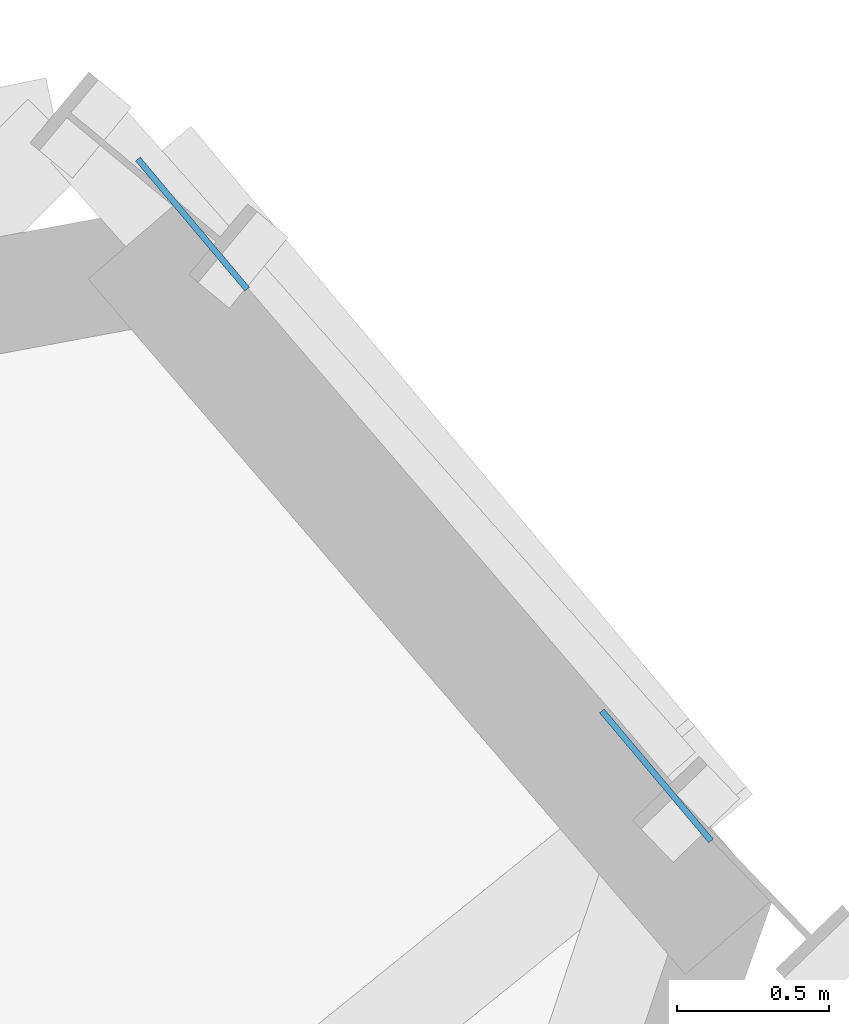
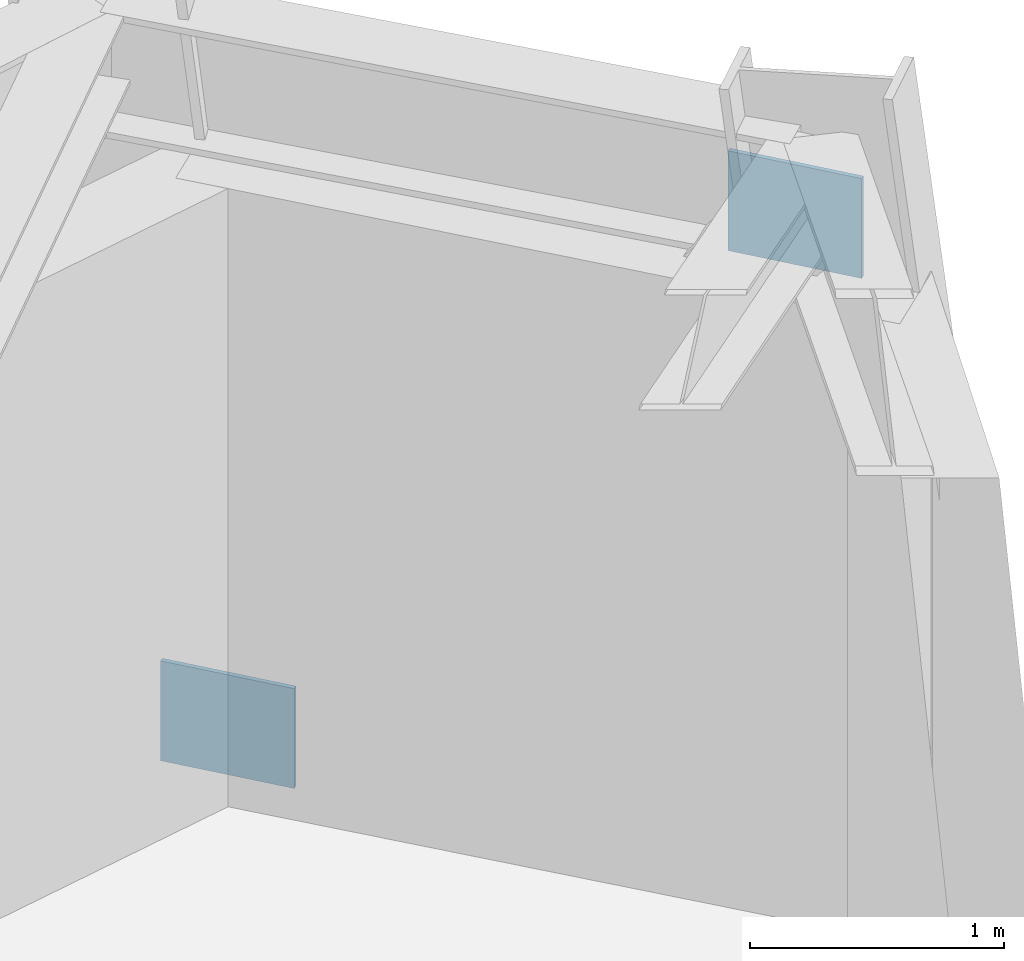
# One storey, part 8 of 13: 2 plates.
"""IFC4 building model written with IfcOpenShell, lengths in metres."""

import ifcopenshell
import ifcopenshell.guid

model = None  # the IFC model being written
_history = None  # IfcOwnerHistory: only IFC2X3 demands one
_inside = {}  # id of a spatial element -> (the spatial element, [elements in it])
_under = {}  # id of a project, library or spatial element -> (it, [spatial elements below it])
_declared = {}  # id of a project -> (the project, [libraries it declares])
_typed = {}  # id of a type object -> (the type object, [elements of that type])
_made_of = {}  # id of a material, layer set ... -> (it, [elements and type objects made of it])


def new_model(schema):
    """Start an empty IFC model of exactly this schema.

    Asked for "IFC4X3", IfcOpenShell would pick the latest addendum, in which some entities
    have other attributes; the version numbers below select the first issue.
    IFC2X3 requires an IfcOwnerHistory on every rooted entity: one is made here for all.
    """
    global model, _history
    if schema == "IFC4X3":
        model = ifcopenshell.file(schema_version=(4, 3, 0, 0))
    else:
        model = ifcopenshell.file(schema=schema)
    _inside.clear()
    _under.clear()
    _declared.clear()
    _typed.clear()
    _made_of.clear()
    _history = None
    if model.schema == "IFC2X3":
        org = make("IfcOrganization", Name="unknown")
        user = make(
            "IfcPersonAndOrganization",
            ThePerson=make("IfcPerson", FamilyName="unknown"),
            TheOrganization=org,
        )
        app = make(
            "IfcApplication",
            ApplicationDeveloper=org,
            Version="unknown",
            ApplicationFullName="unknown",
            ApplicationIdentifier="unknown",
        )
        _history = make(
            "IfcOwnerHistory",
            OwningUser=user,
            OwningApplication=app,
            ChangeAction="ADDED",
            CreationDate=0,
        )
    return model


def make(cls, **values):
    """One entity of the class cls with the attributes given. An attribute that is None is left unset."""
    return model.create_entity(
        cls, **{name: value for name, value in values.items() if value is not None}
    )


def rooted(cls, **values):
    """An entity with a GlobalId (a new one), such as an element, a storey or a relation."""
    return make(cls, GlobalId=ifcopenshell.guid.new(), OwnerHistory=_history, **values)


def si_unit(unit_type, name, prefix=None):
    """IfcSIUnit, for example si_unit("LENGTHUNIT", "METRE", prefix="MILLI")."""
    return make("IfcSIUnit", UnitType=unit_type, Prefix=prefix, Name=name)


def assignment(units):
    """IfcUnitAssignment: the units of a project."""
    return None if units is None else make("IfcUnitAssignment", Units=units)


def point(xyz):
    """IfcCartesianPoint."""
    return None if xyz is None else make("IfcCartesianPoint", Coordinates=xyz)


def direction(xyz):
    """IfcDirection."""
    return None if xyz is None else make("IfcDirection", DirectionRatios=xyz)


def frame(location, z_axis=None, x_axis=None):
    """IfcAxis2Placement3D, a coordinate frame: its origin and axes. An axis left out is left unset."""
    return make(
        "IfcAxis2Placement3D",
        Location=point(location),
        Axis=direction(z_axis),
        RefDirection=direction(x_axis),
    )


def frame_2d(location, x_axis=None):
    """IfcAxis2Placement2D, a coordinate frame in the plane: its origin and x axis."""
    return make(
        "IfcAxis2Placement2D", Location=point(location), RefDirection=direction(x_axis)
    )


def origin():
    """The frame at (0, 0, 0) with its axes left unset."""
    return frame((0.0, 0.0, 0.0))


def origin_2d():
    """The frame at (0, 0) in the plane with its x axis left unset."""
    return frame_2d((0.0, 0.0))


def place(relative_to, where):
    """IfcLocalPlacement: puts the frame where relative to a parent placement (None: the world)."""
    return make(
        "IfcLocalPlacement", PlacementRelTo=relative_to, RelativePlacement=where
    )


def context(
    kind, dimensions, precision=None, world=None, true_north=None, identifier=None
):
    """IfcGeometricRepresentationContext, for example the 3D "Model" context."""
    return make(
        "IfcGeometricRepresentationContext",
        ContextIdentifier=identifier,
        ContextType=kind,
        CoordinateSpaceDimension=dimensions,
        Precision=precision,
        WorldCoordinateSystem=world,
        TrueNorth=true_north,
    )


def subcontext(parent, identifier, kind, view, scale=None):
    """IfcGeometricRepresentationSubContext, for example "Body" below "Model"."""
    return make(
        "IfcGeometricRepresentationSubContext",
        ContextIdentifier=identifier,
        ContextType=kind,
        ParentContext=parent,
        TargetScale=scale,
        TargetView=view,
    )


def project(units=None, contexts=None):
    """IfcProject with its units and contexts."""
    return rooted(
        "IfcProject",
        Name="project",
        RepresentationContexts=contexts,
        UnitsInContext=assignment(units),
    )


def spatial(cls, under=None, at=None, **own):
    """A site, building, storey or space (cls), placed at a placement, below another one or the project."""
    s = rooted(cls, ObjectPlacement=at, **own)
    if under is not None:
        _under.setdefault(under.id(), (under, []))[1].append(s)
    return s


def profile(cls, at=None, kind="AREA", **sizes):
    """A parametric profile (cls). Its sizes go by their IFC names, for example OverallWidth=200.0."""
    return make(cls, ProfileType=kind, Position=at, **sizes)


def rectangle(**sizes):
    """IfcRectangleProfileDef."""
    return profile("IfcRectangleProfileDef", **sizes)


def extrude(swept, where, along, depth):
    """IfcExtrudedAreaSolid: the profile swept, set in the frame where, extruded along a direction by depth."""
    return make(
        "IfcExtrudedAreaSolid",
        SweptArea=swept,
        Position=where,
        ExtrudedDirection=direction(along),
        Depth=depth,
    )


def shape(context_of_items, identifier, shape_type, items):
    """IfcShapeRepresentation: the items that make up one representation, for example the "Body"."""
    return make(
        "IfcShapeRepresentation",
        ContextOfItems=context_of_items,
        RepresentationIdentifier=identifier,
        RepresentationType=shape_type,
        Items=items,
    )


def source(mapping_origin, context_of_items, identifier, shape_type, items):
    """IfcRepresentationMap: a shape defined once, which mapped items show again and again."""
    return make(
        "IfcRepresentationMap",
        MappingOrigin=mapping_origin,
        MappedRepresentation=shape(context_of_items, identifier, shape_type, items),
    )


def transform(
    local_origin,
    x_axis=None,
    y_axis=None,
    z_axis=None,
    scale=None,
    scale2=None,
    scale3=None,
    uniform=True,
):
    """IfcCartesianTransformationOperator3D, or its non-uniform kind. x_axis, y_axis, z_axis: its Axis1, 2, 3."""
    if uniform:
        return make(
            "IfcCartesianTransformationOperator3D",
            Axis1=direction(x_axis),
            Axis2=direction(y_axis),
            LocalOrigin=point(local_origin),
            Scale=scale,
            Axis3=direction(z_axis),
        )
    return make(
        "IfcCartesianTransformationOperator3DnonUniform",
        Axis1=direction(x_axis),
        Axis2=direction(y_axis),
        LocalOrigin=point(local_origin),
        Scale=scale,
        Axis3=direction(z_axis),
        Scale2=scale2,
        Scale3=scale3,
    )


def mapped(mapping_source, mapping_target):
    """IfcMappedItem: shows the shape of a source again, moved by a transform."""
    return make(
        "IfcMappedItem", MappingSource=mapping_source, MappingTarget=mapping_target
    )


def material(Name=None, Category=None):
    """IfcMaterial."""
    return make("IfcMaterial", Name=Name, Category=Category)


def made_of(thing, what):
    """Note that an element or type object is made of a material, layer set ...; save() writes the relation."""
    if what is not None:
        _made_of.setdefault(what.id(), (what, []))[1].append(thing)
    return thing


def type_object(cls, material=None, **own):
    """A type object (cls), such as IfcWallType, which elements share."""
    return made_of(rooted(cls, **own), material)


def element(
    cls,
    number,
    at=None,
    inside=None,
    cuts=None,
    type_object=None,
    material=None,
    context=None,
    identifier="Body",
    shape_type=None,
    held_by="IfcProductDefinitionShape",
    body=None,
    shapes=None,
    **own,
):
    """One element of the class cls, such as IfcWall. Its Tag is "e" and its number.

    at: its placement. inside: the storey or other place that contains it. cuts: it is an
    opening in that element (IfcRelVoidsElement). A single representation is given by context,
    identifier, shape_type and body (its items); several are given by shapes. held_by: the class
    of the entity that holds the representations. save() writes the other relations.
    """
    e = rooted(cls, Tag="e%d" % number, ObjectPlacement=at, **own)
    if body is not None:
        shapes = [shape(context, identifier, shape_type, body)]
    if shapes is not None:
        e.Representation = make(held_by, Representations=shapes)
    if inside is not None:
        _inside.setdefault(inside.id(), (inside, []))[1].append(e)
    if cuts is not None:
        rooted(
            "IfcRelVoidsElement", RelatingBuildingElement=cuts, RelatedOpeningElement=e
        )
    if type_object is not None:
        _typed.setdefault(type_object.id(), (type_object, []))[1].append(e)
    return made_of(e, material)


def aggregate(whole, parts):
    """IfcRelAggregates: a whole, such as a stair, and the parts it consists of."""
    return rooted("IfcRelAggregates", RelatingObject=whole, RelatedObjects=parts)


def save(model, path):
    """Write the relations noted so far, then the file.

    IfcRelAggregates (storeys below a building ...), IfcRelContainedInSpatialStructure (elements
    in a storey), IfcRelDefinesByType, IfcRelAssociatesMaterial and IfcRelDeclares: one each for
    every whole, place, type object, material and project.
    """
    for whole, parts in _under.values():
        aggregate(whole, parts)
    for where, things in _inside.values():
        rooted(
            "IfcRelContainedInSpatialStructure",
            RelatedElements=things,
            RelatingStructure=where,
        )
    for kind, things in _typed.values():
        rooted("IfcRelDefinesByType", RelatedObjects=things, RelatingType=kind)
    for what, things in _made_of.values():
        rooted("IfcRelAssociatesMaterial", RelatedObjects=things, RelatingMaterial=what)
    for by, libraries in _declared.values():
        rooted("IfcRelDeclares", RelatingContext=by, RelatedDefinitions=libraries)
    model.write(path)


model = new_model("IFC4")

# Units and contexts
model_context = context("Model", 3, precision=1e-05, world=origin(), true_north=direction((0.0, 1.0)))
body_context = subcontext(model_context, "Body", "Model", "MODEL_VIEW")
ifc_project = project(units=[si_unit("LENGTHUNIT", "METRE"), si_unit("AREAUNIT", "SQUARE_METRE"), si_unit("VOLUMEUNIT", "CUBIC_METRE"), si_unit("PLANEANGLEUNIT", "RADIAN"), si_unit("MASSUNIT", "GRAM", prefix="KILO")], contexts=[model_context])

# Site, building, storey
site_placement = place(None, origin())
site = spatial("IfcSite", under=ifc_project, at=site_placement, CompositionType="ELEMENT")
building_placement = place(site_placement, origin())
building = spatial("IfcBuilding", under=site, at=building_placement, Name="Olszyna Solenne Hotel", CompositionType="ELEMENT")
storey_placement = place(building_placement, frame((0.0, 0.0, 200.300048828125)))
storey = spatial("IfcBuildingStorey", under=building, at=storey_placement, Name="L53", CompositionType="ELEMENT", Elevation=200.300048828125)

# Plates
ifc_material = material(Name="Steel S355J2", Category="steel")
plate_type = type_object("IfcPlateType", Name="GP-ND2", PredefinedType="USERDEFINED", material=ifc_material)
shared_shape = source(origin(), body_context, "Body", "SweptSolid", [
    extrude(rectangle(XDim=0.56005859375, YDim=0.02001953125, at=origin_2d()), origin(), (0.0, 0.0, 1.0), 0.47998046875),
])
for number, where, z_axis, x_axis, name in (
    (1, (58.90625, 46.630126953125, -0.1201171875), (0.0, 0.0, 1.0), (0.643455864734, -0.765483213493, 0.0), "Brace end connection gusset plate GP-ND2 EP-BR-L53-1-1"),
    (2, (60.43603515625, 44.810546875, 2.89990234375), (0.0, 0.0, 1.0), (0.643455864734, -0.765483213493, 0.0), "Brace end connection gusset plate GP-ND2 EP-BR-L53-1-2"),
):
    element("IfcPlate", number, at=place(storey_placement, frame(where, z_axis=z_axis, x_axis=x_axis)), inside=storey, type_object=plate_type, Name=name, ObjectType="GUSSET_PLATE", PredefinedType="USERDEFINED", context=body_context, shape_type="MappedRepresentation", body=[
        mapped(shared_shape, transform((0.0, 0.0, 0.0), x_axis=(1.0, 0.0, 0.0), y_axis=(0.0, 1.0, 0.0), z_axis=(0.0, 0.0, 1.0), scale=1.0)),
    ])

save(model, "model.ifc")
